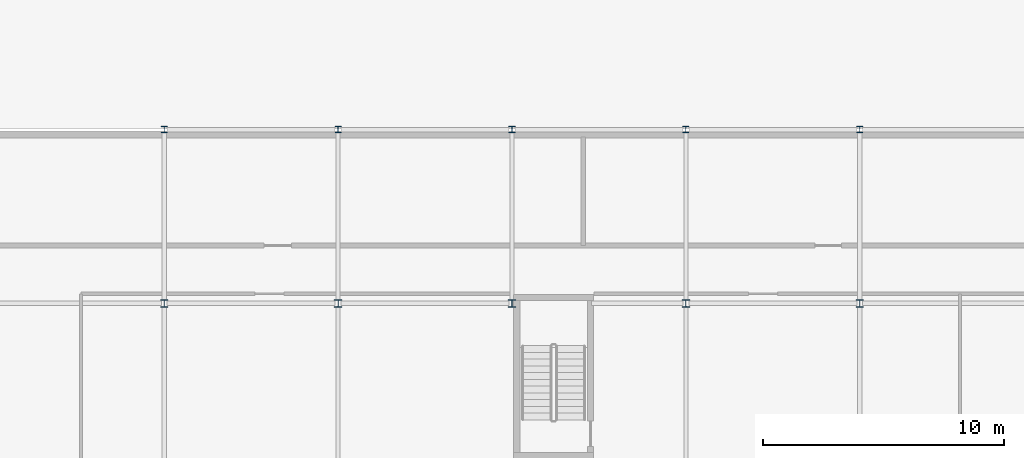
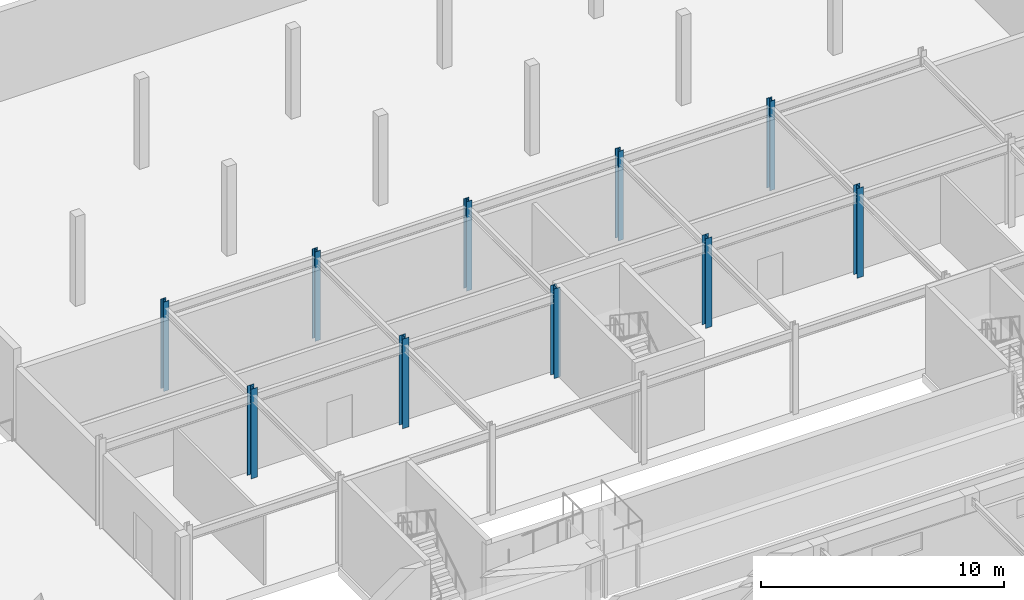
# One storey, part 17 of 85: 10 columns.
"""IFC4 building model written with IfcOpenShell, lengths in metres."""

from ifc_helpers import new_model, si_unit, direction, frame, origin, origin_2d, place, context, subcontext, project, spatial, i_section, extrude, material, material_profile, profile_set, type_object, element, save


model = new_model("IFC4")

# Units and contexts
model_context = context("Model", 3, precision=1e-05, world=origin(), true_north=direction((0.0, 1.0)))
body_context = subcontext(model_context, "Body", "Model", "MODEL_VIEW")
ifc_project = project(units=[si_unit("LENGTHUNIT", "METRE"), si_unit("AREAUNIT", "SQUARE_METRE"), si_unit("VOLUMEUNIT", "CUBIC_METRE"), si_unit("PLANEANGLEUNIT", "RADIAN"), si_unit("MASSUNIT", "GRAM", prefix="KILO")], contexts=[model_context])

# Site, building, storey
site_placement = place(None, origin())
site = spatial("IfcSite", under=ifc_project, at=site_placement, CompositionType="ELEMENT")
building_placement = place(site_placement, origin())
building = spatial("IfcBuilding", under=site, at=building_placement, Name="Ochrevale Crest", CompositionType="ELEMENT")
storey_placement = place(building_placement, origin())
storey = spatial("IfcBuildingStorey", under=building, at=storey_placement, Name="L00", CompositionType="ELEMENT", Elevation=0.0)

# Columns
ifc_material = material(Name="Steel S355", Category="steel")
ifc_material_profile_1 = material_profile(ifc_material, i_section(OverallWidth=0.256103515625, OverallDepth=0.260009765625, WebThickness=0.010498046875, FlangeThickness=0.017333984375, FilletRadius=0.0126953125, at=origin_2d()), Name="250UC89.5")
ifc_profile_set_1 = profile_set([ifc_material_profile_1], Name="Steel S355")
column_type_1 = type_object("IfcColumnType", Name="COL-UC250B", PredefinedType="COLUMN", material=ifc_profile_set_1)
for number, where, z_axis, x_axis, name in (
    (1, (64.800048828125, 93.60009765625, 0.0), (0.0, 0.0, 1.0), (1.0, 0.0, 0.0), "Nursery L00 steel column (64.8,93.6)"),
    (2, (72.0, 93.60009765625, 0.0), (0.0, 0.0, 1.0), (1.0, 0.0, 0.0), "Nursery L00 steel column (72.0,93.6)"),
    (3, (79.199951171875, 93.60009765625, 0.0), (0.0, 0.0, 1.0), (1.0, 0.0, 0.0), "Nursery L00 steel column (79.2,93.6)"),
    (4, (86.39990234375, 93.60009765625, 0.0), (0.0, 0.0, 1.0), (1.0, 0.0, 0.0), "Nursery L00 steel column (86.4,93.6)"),
    (5, (93.60009765625, 93.60009765625, 0.0), (0.0, 0.0, 1.0), (1.0, 0.0, 0.0), "Nursery L00 steel column (93.6,93.6)"),
):
    element("IfcColumn", number, at=place(storey_placement, frame(where, z_axis=z_axis, x_axis=x_axis)), inside=storey, type_object=column_type_1, Name=name, PredefinedType="COLUMN", context=body_context, shape_type="SweptSolid", body=[
        extrude(i_section(OverallWidth=0.256103515625, OverallDepth=0.260009765625, WebThickness=0.010498046875, FlangeThickness=0.017333984375, FilletRadius=0.0126953125, at=origin_2d()), origin(), (0.0, 0.0, 1.0), 4.5),
    ])
ifc_material_profile_2 = material_profile(ifc_material, i_section(OverallWidth=0.3046875, OverallDepth=0.307861328125, WebThickness=0.010009765625, FlangeThickness=0.015380859375, FilletRadius=0.0166015625, at=origin_2d()), Name="310UC96.8")
ifc_profile_set_2 = profile_set([ifc_material_profile_2], Name="Steel S355")
column_type_2 = type_object("IfcColumnType", Name="COL-UC310A", PredefinedType="COLUMN", material=ifc_profile_set_2)
for number, where, z_axis, x_axis, name in (
    (6, (64.800048828125, 86.39990234375, 0.0), (0.0, 0.0, 1.0), (1.0, 0.0, 0.0), "Nursery L00 steel column (64.8,86.4)"),
    (7, (72.0, 86.39990234375, 0.0), (0.0, 0.0, 1.0), (1.0, 0.0, 0.0), "Nursery L00 steel column (72.0,86.4)"),
    (8, (79.199951171875, 86.39990234375, 0.0), (0.0, 0.0, 1.0), (1.0, 0.0, 0.0), "Nursery L00 steel column (79.2,86.4)"),
    (9, (86.39990234375, 86.39990234375, 0.0), (0.0, 0.0, 1.0), (1.0, 0.0, 0.0), "Nursery L00 steel column (86.4,86.4)"),
    (10, (93.60009765625, 86.39990234375, 0.0), (0.0, 0.0, 1.0), (1.0, 0.0, 0.0), "Nursery L00 steel column (93.6,86.4)"),
):
    element("IfcColumn", number, at=place(storey_placement, frame(where, z_axis=z_axis, x_axis=x_axis)), inside=storey, type_object=column_type_2, Name=name, PredefinedType="COLUMN", context=body_context, shape_type="SweptSolid", body=[
        extrude(i_section(OverallWidth=0.3046875, OverallDepth=0.307861328125, WebThickness=0.010009765625, FlangeThickness=0.015380859375, FilletRadius=0.0166015625, at=origin_2d()), origin(), (0.0, 0.0, 1.0), 4.5),
    ])

save(model, "model.ifc")
